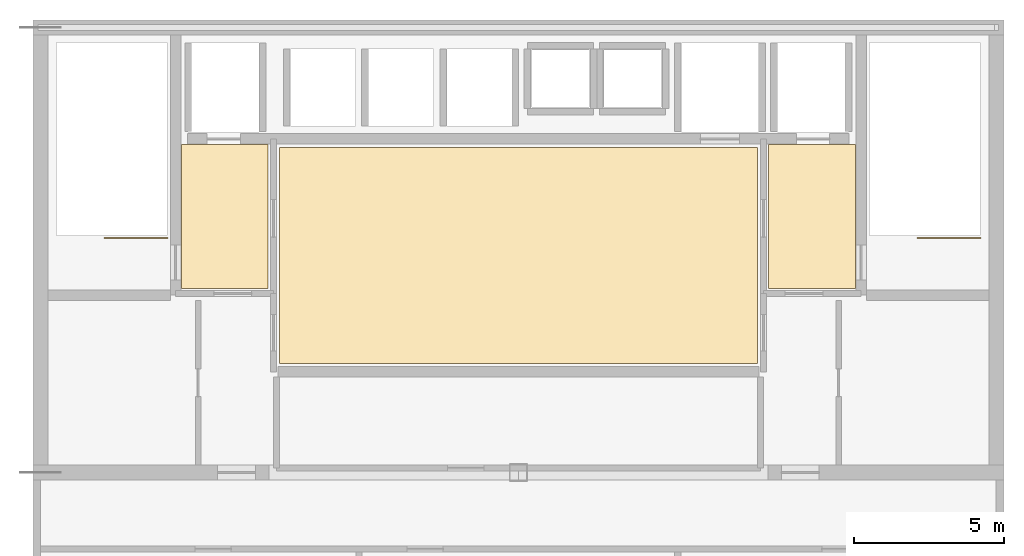
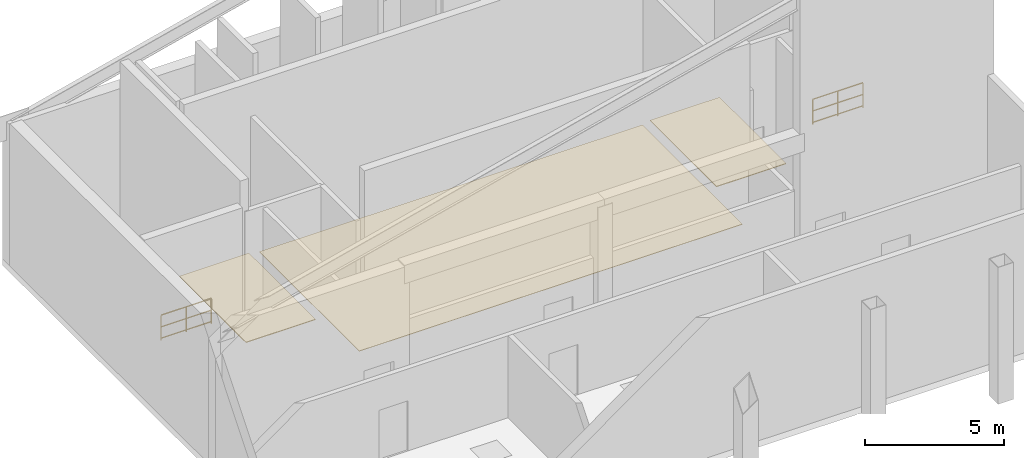
# One storey, part 3 of 3: 3 coverings, 2 railings.
"""IFC4 building model written with IfcOpenShell, lengths in metres."""

from ifc_helpers import new_model, si_unit, direction, frame, origin, origin_2d, place, context, subcontext, project, spatial, polyline, circle, outline, extrude, material, layer, layer_set, type_object, element, save


model = new_model("IFC4")

# Units and contexts
model_context = context("Model", 3, precision=1e-05, world=origin(), true_north=direction((0.0, 1.0)))
body_context = subcontext(model_context, "Body", "Model", "MODEL_VIEW")
ifc_project = project(units=[si_unit("LENGTHUNIT", "METRE"), si_unit("AREAUNIT", "SQUARE_METRE"), si_unit("VOLUMEUNIT", "CUBIC_METRE"), si_unit("PLANEANGLEUNIT", "RADIAN"), si_unit("MASSUNIT", "GRAM", prefix="KILO")], contexts=[model_context])

# Site, building, storey
site_placement = place(None, origin())
site = spatial("IfcSite", under=ifc_project, at=site_placement, CompositionType="ELEMENT")
building_placement = place(site_placement, origin())
building = spatial("IfcBuilding", under=site, at=building_placement, Name="Qianlan Lanfeng Residences", CompositionType="ELEMENT")
storey_placement = place(building_placement, frame((0.0, 0.0, 270.800048828125)))
storey = spatial("IfcBuildingStorey", under=building, at=storey_placement, Name="L75", CompositionType="ELEMENT", Elevation=270.800048828125)

# Coverings
ifc_material_1 = material(Name="Honed Taitung Granite Stone Flooring", Category="masonry")
ifc_layer_1 = layer(ifc_material_1, 0.030029296875)
ifc_layer_set_1 = layer_set([ifc_layer_1], Name="Honed Taitung Granite Stone Flooring")
covering_type_1 = type_object("IfcCoveringType", Name="FLR-STN-30", PredefinedType="FLOORING", material=ifc_layer_set_1)
covering_1_placement = place(storey_placement, origin())
element("IfcCovering", 1, at=covering_1_placement, inside=storey, type_object=covering_type_1, Name="L75 Firefighting Lift Lobby Floor Finish", PredefinedType="FLOORING", context=body_context, shape_type="SweptSolid", body=[
    extrude(outline(polyline([(15.2900390625, 31.320068359375), (18.179931640625, 31.320068359375), (18.179931640625, 36.110107421875), (15.2900390625, 36.110107421875), (15.2900390625, 31.320068359375)])), origin(), (0.0, 0.0, 1.0), 0.030029296875),
])
covering_2_placement = place(storey_placement, origin())
element("IfcCovering", 2, at=covering_2_placement, inside=storey, type_object=covering_type_1, Name="L75 Firefighting Lift Lobby Floor Finish", PredefinedType="FLOORING", context=body_context, shape_type="SweptSolid", body=[
    extrude(outline(polyline([(34.820068359375, 31.320068359375), (37.7099609375, 31.320068359375), (37.7099609375, 36.110107421875), (34.820068359375, 36.110107421875), (34.820068359375, 31.320068359375)])), origin(), (0.0, 0.0, 1.0), 0.030029296875),
])
ifc_material_2 = material(Name="Slip-Resistant Porcelain Tile Flooring")
ifc_layer_2 = layer(ifc_material_2, 0.02001953125)
ifc_layer_set_2 = layer_set([ifc_layer_2], Name="Slip-Resistant Porcelain Tile Flooring")
covering_type_2 = type_object("IfcCoveringType", Name="FLR-TIL-20", PredefinedType="FLOORING", material=ifc_layer_set_2)
covering_3_placement = place(storey_placement, origin())
element("IfcCovering", 3, at=covering_3_placement, inside=storey, type_object=covering_type_2, Name="L75 Elevator Machine Room Floor Finish", PredefinedType="FLOORING", context=body_context, shape_type="SweptSolid", body=[
    extrude(outline(polyline([(18.550048828125, 28.820068359375), (34.449951171875, 28.820068359375), (34.449951171875, 36.010009765625), (18.550048828125, 36.010009765625), (18.550048828125, 28.820068359375)])), origin(), (0.0, 0.0, 1.0), 0.02001953125),
])

# Railings
ifc_material_3 = material(Name="Painted Galvanised Steel Guardrail", Category="steel")
railing_type = type_object("IfcRailingType", Name="GR-ST-1120", PredefinedType="GUARDRAIL", material=ifc_material_3)
for number, where, name in (
    (4, (14.820068359375, 33.0, 0.0), "L75 ST-1 top well guard 1"),
    (5, (41.860107421875, 33.0, 0.0), "L75 ST-2 top well guard 1"),
):
    element("IfcRailing", number, at=place(storey_placement, frame(where)), inside=storey, type_object=railing_type, Name=name, PredefinedType="GUARDRAIL", context=body_context, shape_type="SweptSolid", body=[
        extrude(circle(Radius=0.02392578125, at=origin_2d()), frame((0.0, 0.0, 0.083984375), z_axis=(-1.0, 0.0, 0.0), x_axis=(0.0, -1.0, 0.0)), (0.0, 0.0, 1.0), 2.080078125),
        extrude(circle(Radius=0.02392578125, at=origin_2d()), frame((0.0, 0.0, 0.58251953125), z_axis=(-1.0, 0.0, 0.0), x_axis=(0.0, -1.0, 0.0)), (0.0, 0.0, 1.0), 2.080078125),
        extrude(circle(Radius=0.02392578125, at=origin_2d()), frame((0.0, 0.0, 1.09619140625), z_axis=(-1.0, 0.0, 0.0), x_axis=(0.0, -1.0, 0.0)), (0.0, 0.0, 1.0), 2.080078125),
        extrude(circle(Radius=0.02099609375, at=origin_2d()), origin(), (0.0, 0.0, 1.0), 1.072021484375),
        extrude(circle(Radius=0.02099609375, at=origin_2d()), frame((-1.0400390625, 0.0, 0.0)), (0.0, 0.0, 1.0), 1.072021484375),
        extrude(circle(Radius=0.02099609375, at=origin_2d()), frame((-2.080078125, 0.0, 0.0)), (0.0, 0.0, 1.0), 1.072021484375),
    ])

save(model, "model.ifc")
